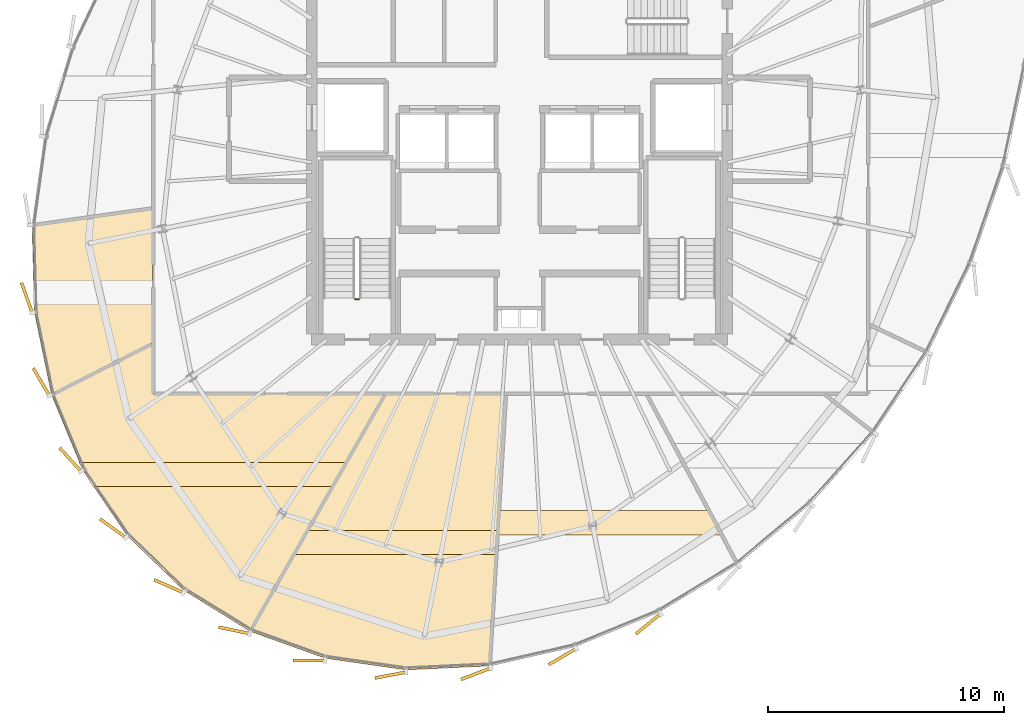
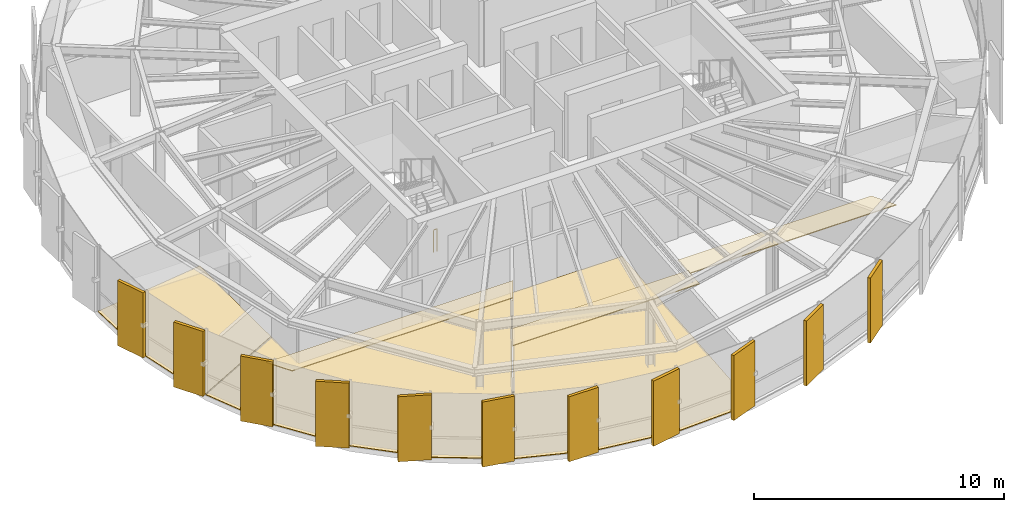
# One storey, part 32 of 35: 17 coverings, 1 railing.
"""IFC4 building model written with IfcOpenShell, lengths in metres."""

from ifc_helpers import new_model, si_unit, direction, frame, origin, origin_2d, place, context, subcontext, project, spatial, polyline, rectangle, circle, outline, extrude, source, transform, mapped, material, layer, layer_set, type_object, element, save


model = new_model("IFC4")

# Units and contexts
model_context = context("Model", 3, precision=1e-05, world=origin(), true_north=direction((0.0, 1.0)))
body_context = subcontext(model_context, "Body", "Model", "MODEL_VIEW")
ifc_project = project(units=[si_unit("LENGTHUNIT", "METRE"), si_unit("AREAUNIT", "SQUARE_METRE"), si_unit("VOLUMEUNIT", "CUBIC_METRE"), si_unit("PLANEANGLEUNIT", "RADIAN"), si_unit("MASSUNIT", "GRAM", prefix="KILO"), si_unit("THERMODYNAMICTEMPERATUREUNIT", "KELVIN")], contexts=[model_context])

# Site, building, storey
site_placement = place(None, origin())
site = spatial("IfcSite", under=ifc_project, at=site_placement, CompositionType="ELEMENT")
building_placement = place(site_placement, origin())
building = spatial("IfcBuilding", under=site, at=building_placement, Name="Kethvar Cultural Tower", CompositionType="ELEMENT")
storey_placement = place(building_placement, frame((0.0, 0.0, 245.64990234375)))
storey = spatial("IfcBuildingStorey", under=building, at=storey_placement, Name="L64", CompositionType="ELEMENT", Elevation=245.64990234375)

# Coverings
ifc_material_1 = material(Name="Acoustic Mineral Fibre Ceiling")
ifc_layer_1 = layer(ifc_material_1, 0.0400390625, Name="Acoustic Mineral Fibre Ceiling")
ifc_layer_set_1 = layer_set([ifc_layer_1], Name="Acoustic Mineral Fibre Ceiling (40 mm)")
covering_type_1 = type_object("IfcCoveringType", Name="CV-ACOUSTIC-CEIL", PredefinedType="CEILING", material=ifc_layer_set_1)
covering_1_placement = place(storey_placement, frame((0.0, 0.0, 2.89013671875)))
element("IfcCovering", 1, at=covering_1_placement, inside=storey, type_object=covering_type_1, Name="L64 Room 02 Acoustic Ceiling Panel", PredefinedType="CEILING", context=body_context, shape_type="SweptSolid", body=[
    extrude(outline(polyline([(28.7412109375, 13.871826171875), (28.135498046875, 14.90185546875), (39.50341796875, 14.90185546875), (38.918701171875, 13.871826171875), (28.7412109375, 13.871826171875)])), origin(), (0.0, 0.0, 1.0), 0.0400390625),
])
covering_2_placement = place(storey_placement, frame((0.0, 0.0, 2.89013671875)))
element("IfcCovering", 2, at=covering_2_placement, inside=storey, type_object=covering_type_1, Name="L64 Room 03 Acoustic Ceiling Panel", PredefinedType="CEILING", context=body_context, shape_type="SweptSolid", body=[
    extrude(outline(polyline([(37.8212890625, 12.019287109375), (45.91650390625, 12.019287109375), (45.857421875, 10.9892578125), (37.23681640625, 10.9892578125), (37.8212890625, 12.019287109375)])), origin(), (0.0, 0.0, 1.0), 0.0400390625),
])
covering_3_placement = place(storey_placement, frame((0.0, 0.0, 2.89013671875)))
element("IfcCovering", 3, at=covering_3_placement, inside=storey, type_object=covering_type_1, Name="L64 Room 04 Acoustic Ceiling Panel", PredefinedType="CEILING", context=body_context, shape_type="SweptSolid", body=[
    extrude(outline(polyline([(45.924072265625, 12.85009765625), (54.85888671875, 12.85009765625), (55.412353515625, 11.820068359375), (45.864990234375, 11.820068359375), (45.924072265625, 12.85009765625)])), origin(), (0.0, 0.0, 1.0), 0.0400390625),
])
ifc_material_2 = material(Name="Honed Warm Limestone", Category="masonry")
ifc_layer_2 = layer(ifc_material_2, 0.030029296875, Name="Honed Warm Limestone", Category="masonry")
ifc_layer_set_2 = layer_set([ifc_layer_2], Name="Honed Warm Limestone (30 mm)")
covering_type_2 = type_object("IfcCoveringType", Name="CV-STONE-FLOOR", PredefinedType="FLOORING", material=ifc_layer_set_2)
covering_4_placement = place(storey_placement, origin())
element("IfcCovering", 4, at=covering_4_placement, inside=storey, type_object=covering_type_2, Name="L64 Room 01 Floor Finish", PredefinedType="FLOORING", context=body_context, shape_type="SweptSolid", body=[
    extrude(outline(polyline([(26.267822265625, 21.25244140625), (26.1689453125, 24.928955078125), (31.27001953125, 25.6337890625), (31.27001953125, 19.953125), (26.986328125, 17.78271484375), (26.267822265625, 21.25244140625)])), origin(), (0.0, 0.0, 1.0), 0.030029296875),
])
covering_5_placement = place(storey_placement, origin())
element("IfcCovering", 5, at=covering_5_placement, inside=storey, type_object=covering_type_2, Name="L64 Room 02 Floor Finish", PredefinedType="FLOORING", context=body_context, shape_type="SweptSolid", body=[
    extrude(outline(polyline([(32.59326171875, 9.484619140625), (30.202880859375, 11.784423828125), (28.31640625, 14.570556640625), (26.997802734375, 17.743408203125), (31.27001953125, 19.908203125), (31.2861328125, 17.787353515625), (41.0947265625, 17.787109375), (35.3994140625, 7.751220703125), (32.59326171875, 9.484619140625)])), origin(), (0.0, 0.0, 1.0), 0.030029296875),
])
covering_6_placement = place(storey_placement, origin())
element("IfcCovering", 6, at=covering_6_placement, inside=storey, type_object=covering_type_2, Name="L64 Room 03 Floor Finish", PredefinedType="FLOORING", context=body_context, shape_type="SweptSolid", body=[
    extrude(outline(polyline([(42.00048828125, 6.11669921875), (38.5830078125, 6.60693359375), (35.435546875, 7.73388671875), (41.140625, 17.787109375), (46.20654296875, 17.787109375), (45.548095703125, 6.283935546875), (42.00048828125, 6.11669921875)])), origin(), (0.0, 0.0, 1.0), 0.030029296875),
])

# Railing
ifc_material_3 = material(Name="Steel S355J2", Category="steel")
railing_type = type_object("IfcRailingType", Name="RL-STAIR-GUARD", PredefinedType="BALUSTRADE", material=ifc_material_3)
railing_placement = place(storey_placement, frame((40.0, 21.800048828125, 0.0)))
element("IfcRailing", 7, at=railing_placement, inside=storey, type_object=railing_type, Name="L64 ST-01 stair guard 4", PredefinedType="BALUSTRADE", context=body_context, shape_type="SweptSolid", body=[
    extrude(circle(Radius=0.02392578125, at=origin_2d()), frame((0.0, 0.0, 1.09619140625), z_axis=(-1.0, 0.0, 0.0), x_axis=(0.0, -1.0, 0.0)), (0.0, 0.0, 1.0), 0.159912109375),
    extrude(circle(Radius=0.02099609375, at=origin_2d()), origin(), (0.0, 0.0, 1.0), 1.072021484375),
    extrude(circle(Radius=0.02099609375, at=origin_2d()), frame((-0.159912109375, 0.0, 0.0)), (0.0, 0.0, 1.0), 1.072021484375),
])

# Coverings
ifc_material_4 = material(Name="Extruded Architectural Terracotta", Category="masonry")
ifc_layer_3 = layer(ifc_material_4, 0.135009765625, Name="Extruded Architectural Terracotta", Category="masonry")
ifc_layer_set_3 = layer_set([ifc_layer_3], Name="Extruded Architectural Terracotta (135 mm)")
covering_type_3 = type_object("IfcCoveringType", Name="Terracotta Facade Fin FIN-03", PredefinedType="CLADDING", material=ifc_layer_set_3)
shared_shape = source(origin(), body_context, "Body", "SweptSolid", [
    extrude(rectangle(XDim=1.35009765625, YDim=0.135009765625, at=origin_2d()), origin(), (0.0, 0.0, 1.0), 3.169921875),
])
for number, where, z_axis, x_axis, name in (
    (8, (25.942138671875, 21.869384765625, 0.02001953125), (0.0, 0.0, 1.0), (-0.337095258423, 0.941470544812, 0.0), "L64 Vertical Terracotta Fin 3.3"),
    (9, (26.554931640625, 18.303466796875, 0.02001953125), (0.0, 0.0, 1.0), (-0.508590662521, 0.861008442465, 0.0), "L64 Vertical Terracotta Fin 3.4"),
    (10, (27.77978515625, 15.01708984375, 0.02001953125), (0.0, 0.0, 1.0), (-0.670426618959, 0.741975840976, 0.0), "L64 Vertical Terracotta Fin 3.5"),
    (11, (29.585205078125, 12.109619140625, 0.02001953125), (0.0, 0.0, 1.0), (-0.81014396939, 0.586230968869, 0.0), "L64 Vertical Terracotta Fin 3.6"),
    (12, (31.951416015625, 9.6533203125, 0.02001953125), (0.0, 0.0, 1.0), (-0.915592426272, 0.402107583804, 0.0), "L64 Vertical Terracotta Fin 4.1"),
    (13, (34.718505859375, 7.78466796875, 0.02001953125), (0.0, 0.0, 1.0), (-0.979222810622, 0.202787295357, 0.0), "L64 Vertical Terracotta Fin 4.2"),
    (14, (37.8916015625, 6.51025390625, 0.02001953125), (0.0, 0.0, 1.0), (-0.999995598282, 0.002967055375, 0.0), "L64 Vertical Terracotta Fin 4.3"),
    (15, (41.340087890625, 5.891357421875, 0.02001953125), (0.0, 0.0, 1.0), (-0.982612796544, -0.185666615386, 0.0), "L64 Vertical Terracotta Fin 4.4"),
    (16, (44.9541015625, 5.946533203125, 0.02001953125), (0.0, 0.0, 1.0), (-0.934453296747, -0.356085714679, 0.0), "L64 Vertical Terracotta Fin 4.5"),
    (17, (48.61962890625, 6.672607421875, 0.02001953125), (0.0, 0.0, 1.0), (-0.863043113503, -0.50513026462, 0.0), "L64 Vertical Terracotta Fin 4.6"),
    (18, (52.254150390625, 8.0625, 0.02001953125), (0.0, 0.0, 1.0), (-0.77406125421, -0.633110712854, 0.0), "L64 Vertical Terracotta Fin 5.1"),
):
    element("IfcCovering", number, at=place(storey_placement, frame(where, z_axis=z_axis, x_axis=x_axis)), inside=storey, type_object=covering_type_3, Name=name, PredefinedType="CLADDING", context=body_context, shape_type="MappedRepresentation", body=[
        mapped(shared_shape, transform((0.0, 0.0, 0.0), scale=1.0)),
    ])

save(model, "model.ifc")
